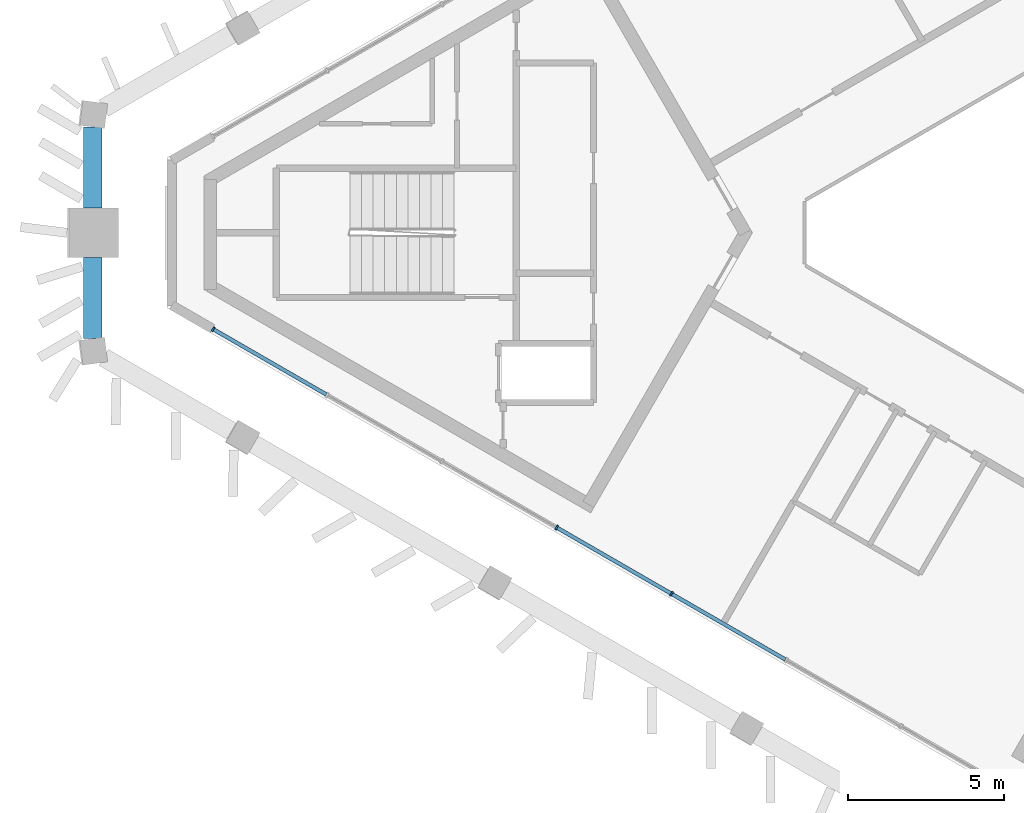
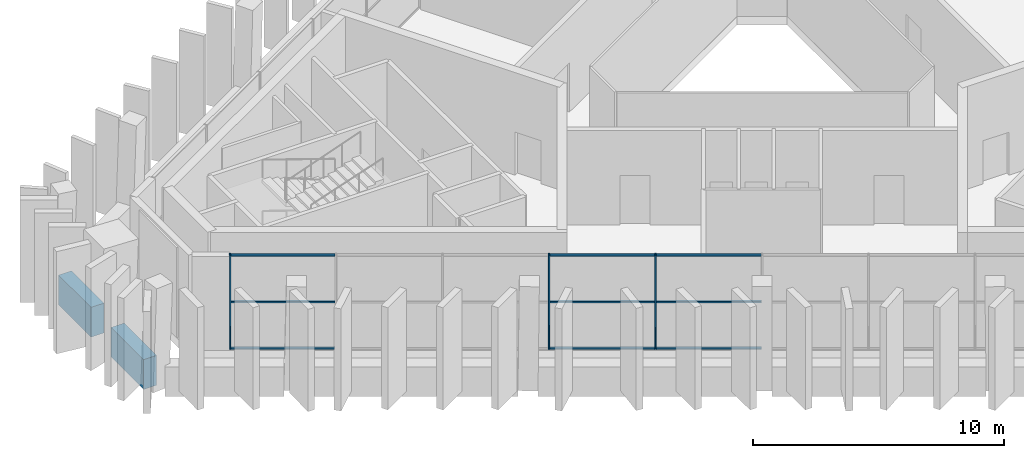
# One storey, part 3 of 13: 12 members, 2 beams, 1 element without a shape of its own.
"""IFC4 building model written with IfcOpenShell, lengths in metres."""

from ifc_helpers import new_model, si_unit, direction, frame, origin, origin_2d, place, context, subcontext, project, spatial, rectangle, extrude, material, layer, layer_set, material_profile, profile_set, type_object, element, aggregate, save


model = new_model("IFC4")

# Units and contexts
model_context = context("Model", 3, precision=1e-05, world=origin(), true_north=direction((0.0, 1.0)))
body_context = subcontext(model_context, "Body", "Model", "MODEL_VIEW")
ifc_project = project(units=[si_unit("LENGTHUNIT", "METRE"), si_unit("AREAUNIT", "SQUARE_METRE"), si_unit("VOLUMEUNIT", "CUBIC_METRE"), si_unit("PLANEANGLEUNIT", "RADIAN"), si_unit("MASSUNIT", "GRAM", prefix="KILO")], contexts=[model_context])

# Site, building, storey
site_placement = place(None, origin())
site = spatial("IfcSite", under=ifc_project, at=site_placement, CompositionType="ELEMENT")
building_placement = place(site_placement, origin())
building = spatial("IfcBuilding", under=site, at=building_placement, Name="Jabali Bay Hotel Tower and Convention Centre", CompositionType="ELEMENT")
storey_placement = place(building_placement, frame((0.0, 0.0, 310.800048828125)))
storey = spatial("IfcBuildingStorey", under=building, at=storey_placement, Name="L76", CompositionType="ELEMENT", Elevation=310.800048828125)

# Curtain wall, members
ifc_material_1 = material(Name="Aluminium and glass", Category="aluminium")
ifc_layer = layer(ifc_material_1, 0.159912109375)
ifc_layer_set = layer_set([ifc_layer], Name="Aluminium and glass")
curtain_wall_type = type_object("IfcCurtainWallType", Name="CW3 curtain wall", PredefinedType="NOTDEFINED", material=ifc_layer_set)
curtain_wall_placement = place(storey_placement, origin())
curtain_wall = element("IfcCurtainWall", 1, at=curtain_wall_placement, inside=storey, type_object=curtain_wall_type, Name="CW3 curtain wall south-west face L76", PredefinedType="NOTDEFINED")
ifc_material_2 = material(Name="Aluminium", Category="aluminium")
ifc_material_profile_1 = material_profile(ifc_material_2, rectangle(XDim=0.159912109375, YDim=0.06005859375, at=origin_2d()), Name="CW3 mullion 60 x 160")
ifc_profile_set_1 = profile_set([ifc_material_profile_1], Name="Aluminium")
member_type_1 = type_object("IfcMemberType", Name="CW3 mullion 60 x 160", PredefinedType="MULLION", material=ifc_profile_set_1)
member_1_placement = place(storey_placement, frame((63.401611328125, 68.416259765625, 0.0), z_axis=(0.0, 0.0, 1.0), x_axis=(-0.5, -0.866025403784, 0.0)))
member_1 = element("IfcMember", 2, at=member_1_placement, type_object=member_type_1, Name="CW3 mullion 7", PredefinedType="MULLION", context=body_context, shape_type="SweptSolid", body=[
    extrude(rectangle(XDim=0.159912109375, YDim=0.06005859375, at=origin_2d()), origin(), (0.0, 0.0, 1.0), 4.599853515625),
])
member_2_placement = place(storey_placement, frame((59.71875, 70.542724609375, 0.0), z_axis=(0.0, 0.0, 1.0), x_axis=(-0.5, -0.866025403784, 0.0)))
member_2 = element("IfcMember", 3, at=member_2_placement, type_object=member_type_1, Name="CW3 mullion 8", PredefinedType="MULLION", context=body_context, shape_type="SweptSolid", body=[
    extrude(rectangle(XDim=0.159912109375, YDim=0.06005859375, at=origin_2d()), origin(), (0.0, 0.0, 1.0), 4.599853515625),
])
member_3_placement = place(storey_placement, frame((48.69580078125, 76.90673828125, 0.0), z_axis=(0.0, 0.0, 1.0), x_axis=(-0.5, -0.866025403784, 0.0)))
member_3 = element("IfcMember", 4, at=member_3_placement, type_object=member_type_1, Name="CW3 mullion 11", PredefinedType="MULLION", context=body_context, shape_type="SweptSolid", body=[
    extrude(rectangle(XDim=0.159912109375, YDim=0.06005859375, at=origin_2d()), origin(), (0.0, 0.0, 1.0), 4.599853515625),
])
ifc_material_profile_2 = material_profile(ifc_material_2, rectangle(XDim=0.1201171875, YDim=0.06005859375, at=origin_2d()), Name="CW3 transom 60 x 120")
ifc_profile_set_2 = profile_set([ifc_material_profile_2], Name="Aluminium")
member_type_2 = type_object("IfcMemberType", Name="CW3 transom 60 x 120", PredefinedType="USERDEFINED", material=ifc_profile_set_2)
member_4_placement = place(storey_placement, frame((67.05859375, 66.304931640625, 0.030029296875), z_axis=(-0.866023652799, 0.500003032783, 0.0), x_axis=(-0.500003032783, -0.866023652799, 0.0)))
member_4 = element("IfcMember", 5, at=member_4_placement, type_object=member_type_2, Name="CW3 transom 6.1", ObjectType="TRANSOM", PredefinedType="USERDEFINED", context=body_context, shape_type="SweptSolid", body=[
    extrude(rectangle(XDim=0.1201171875, YDim=0.06005859375, at=origin_2d()), origin(), (0.0, 0.0, 1.0), 4.19287109375),
])
member_5_placement = place(storey_placement, frame((67.05859375, 66.304931640625, 2.300048828125), z_axis=(-0.866023652799, 0.500003032783, 0.0), x_axis=(-0.500003032783, -0.866023652799, 0.0)))
member_5 = element("IfcMember", 6, at=member_5_placement, type_object=member_type_2, Name="CW3 transom 6.2", ObjectType="TRANSOM", PredefinedType="USERDEFINED", context=body_context, shape_type="SweptSolid", body=[
    extrude(rectangle(XDim=0.1201171875, YDim=0.06005859375, at=origin_2d()), origin(), (0.0, 0.0, 1.0), 4.19287109375),
])
member_6_placement = place(storey_placement, frame((67.05859375, 66.304931640625, 4.570068359375), z_axis=(-0.866023652799, 0.500003032783, 0.0), x_axis=(-0.500003032783, -0.866023652799, 0.0)))
member_6 = element("IfcMember", 7, at=member_6_placement, type_object=member_type_2, Name="CW3 transom 6.3", ObjectType="TRANSOM", PredefinedType="USERDEFINED", context=body_context, shape_type="SweptSolid", body=[
    extrude(rectangle(XDim=0.1201171875, YDim=0.06005859375, at=origin_2d()), origin(), (0.0, 0.0, 1.0), 4.19287109375),
])
member_7_placement = place(storey_placement, frame((63.37548828125, 68.431396484375, 0.030029296875), z_axis=(-0.866034309822, 0.499984573973, 0.0), x_axis=(-0.499984573973, -0.866034309822, 0.0)))
member_7 = element("IfcMember", 8, at=member_7_placement, type_object=member_type_2, Name="CW3 transom 7.1", ObjectType="TRANSOM", PredefinedType="USERDEFINED", context=body_context, shape_type="SweptSolid", body=[
    extrude(rectangle(XDim=0.1201171875, YDim=0.06005859375, at=origin_2d()), origin(), (0.0, 0.0, 1.0), 4.192626953125),
])
member_8_placement = place(storey_placement, frame((63.37548828125, 68.431396484375, 2.300048828125), z_axis=(-0.866034309822, 0.499984573973, 0.0), x_axis=(-0.499984573973, -0.866034309822, 0.0)))
member_8 = element("IfcMember", 9, at=member_8_placement, type_object=member_type_2, Name="CW3 transom 7.2", ObjectType="TRANSOM", PredefinedType="USERDEFINED", context=body_context, shape_type="SweptSolid", body=[
    extrude(rectangle(XDim=0.1201171875, YDim=0.06005859375, at=origin_2d()), origin(), (0.0, 0.0, 1.0), 4.192626953125),
])
member_9_placement = place(storey_placement, frame((63.37548828125, 68.431396484375, 4.570068359375), z_axis=(-0.866034309822, 0.499984573973, 0.0), x_axis=(-0.499984573973, -0.866034309822, 0.0)))
member_9 = element("IfcMember", 10, at=member_9_placement, type_object=member_type_2, Name="CW3 transom 7.3", ObjectType="TRANSOM", PredefinedType="USERDEFINED", context=body_context, shape_type="SweptSolid", body=[
    extrude(rectangle(XDim=0.1201171875, YDim=0.06005859375, at=origin_2d()), origin(), (0.0, 0.0, 1.0), 4.192626953125),
])
member_10_placement = place(storey_placement, frame((52.326904296875, 74.810302734375, 0.030029296875), z_axis=(-0.866018583443, 0.500011812991, 0.0), x_axis=(-0.500011812991, -0.866018583443, 0.0)))
member_10 = element("IfcMember", 11, at=member_10_placement, type_object=member_type_2, Name="CW3 transom 10.1", ObjectType="TRANSOM", PredefinedType="USERDEFINED", context=body_context, shape_type="SweptSolid", body=[
    extrude(rectangle(XDim=0.1201171875, YDim=0.06005859375, at=origin_2d()), origin(), (0.0, 0.0, 1.0), 4.1630859375),
])
member_11_placement = place(storey_placement, frame((52.326904296875, 74.810302734375, 2.300048828125), z_axis=(-0.866018583443, 0.500011812991, 0.0), x_axis=(-0.500011812991, -0.866018583443, 0.0)))
member_11 = element("IfcMember", 12, at=member_11_placement, type_object=member_type_2, Name="CW3 transom 10.2", ObjectType="TRANSOM", PredefinedType="USERDEFINED", context=body_context, shape_type="SweptSolid", body=[
    extrude(rectangle(XDim=0.1201171875, YDim=0.06005859375, at=origin_2d()), origin(), (0.0, 0.0, 1.0), 4.1630859375),
])
member_12_placement = place(storey_placement, frame((52.326904296875, 74.810302734375, 4.570068359375), z_axis=(-0.866018583443, 0.500011812991, 0.0), x_axis=(-0.500011812991, -0.866018583443, 0.0)))
member_12 = element("IfcMember", 13, at=member_12_placement, type_object=member_type_2, Name="CW3 transom 10.3", ObjectType="TRANSOM", PredefinedType="USERDEFINED", context=body_context, shape_type="SweptSolid", body=[
    extrude(rectangle(XDim=0.1201171875, YDim=0.06005859375, at=origin_2d()), origin(), (0.0, 0.0, 1.0), 4.1630859375),
])
aggregate(curtain_wall, [member_1, member_2, member_3, member_4, member_5, member_6, member_7, member_8, member_9, member_10, member_11, member_12])

# Beams
ifc_material_3 = material(Name="Concrete C60", Category="concrete")
ifc_material_profile_3 = material_profile(ifc_material_3, rectangle(XDim=0.60009765625, YDim=1.449951171875, at=origin_2d()), Name="Spandrel 600x1450")
ifc_profile_set_3 = profile_set([ifc_material_profile_3], Name="Concrete C60")
beam_type = type_object("IfcBeamType", Name="Spandrel 600x1450", PredefinedType="SPANDREL", material=ifc_profile_set_3)
for number, where, z_axis, x_axis, name in (
    (14, (44.833984375, 83.3994140625, 0.375), (0.0, -1.0, 0.0), (1.0, 0.0, 0.0), "Spandrel V3-M0 L76"),
    (15, (44.833984375, 79.199951171875, 0.375), (0.0, -1.0, 0.0), (1.0, 0.0, 0.0), "Spandrel M0-V4 L76"),
):
    element("IfcBeam", number, at=place(storey_placement, frame(where, z_axis=z_axis, x_axis=x_axis)), inside=storey, type_object=beam_type, Name=name, PredefinedType="SPANDREL", context=body_context, shape_type="SweptSolid", body=[
        extrude(rectangle(XDim=0.60009765625, YDim=1.449951171875, at=origin_2d()), origin(), (0.0, 0.0, 1.0), 2.599365234375),
    ])

save(model, "model.ifc")
